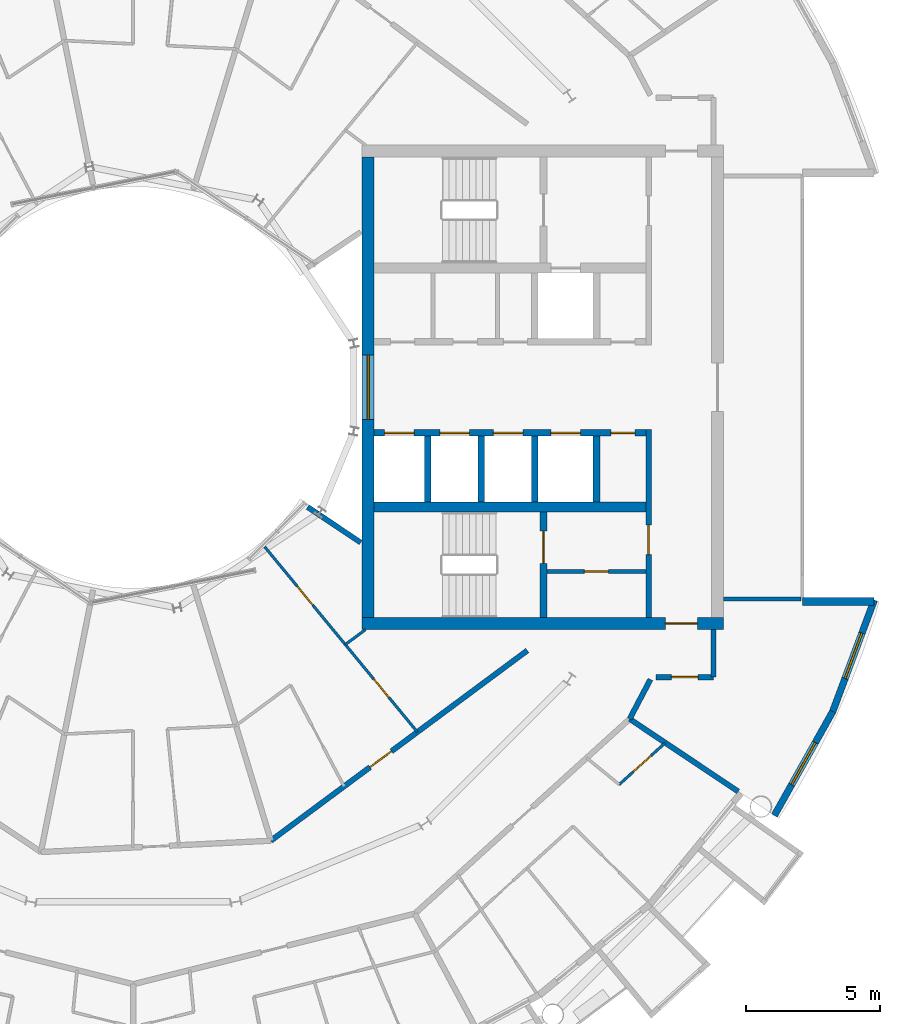
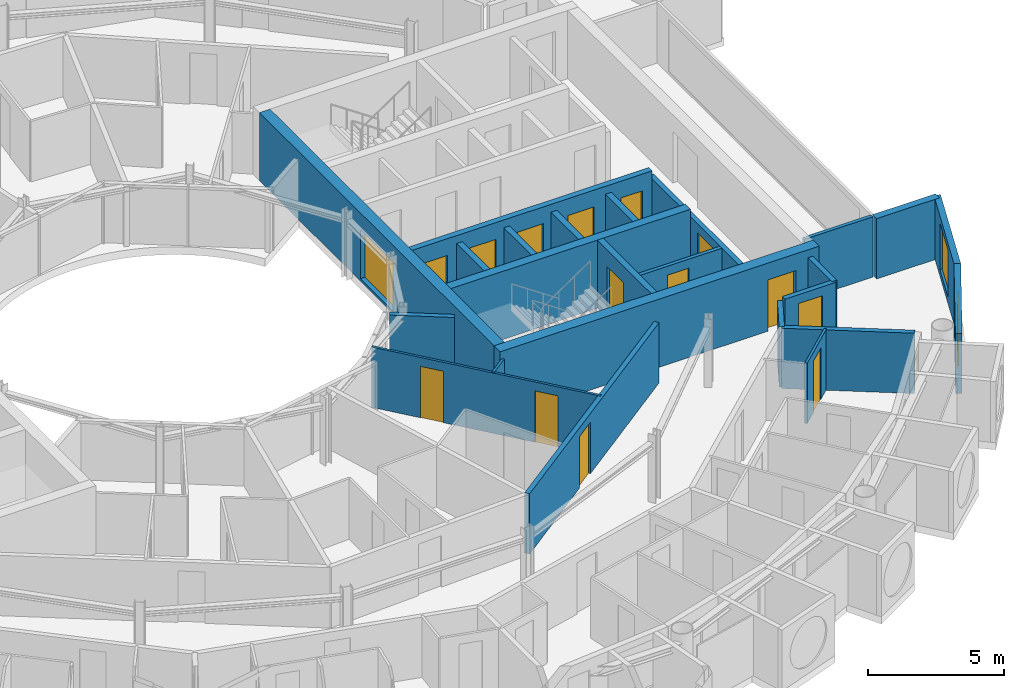
# One storey, part 19 of 29: 24 walls, 14 doors, 3 windows, 17 openings.
"""IFC4 building model written with IfcOpenShell, lengths in metres."""

from ifc_helpers import new_model, si_unit, direction, frame, frame_2d, origin, place, context, subcontext, project, spatial, rectangle, extrude, material, layer, layer_set, type_object, element, fill, save


model = new_model("IFC4")

# Units and contexts
model_context = context("Model", 3, precision=1e-05, world=origin(), true_north=direction((0.0, 1.0)))
body_context = subcontext(model_context, "Body", "Model", "MODEL_VIEW")
ifc_project = project(units=[si_unit("LENGTHUNIT", "METRE"), si_unit("AREAUNIT", "SQUARE_METRE"), si_unit("VOLUMEUNIT", "CUBIC_METRE"), si_unit("PLANEANGLEUNIT", "RADIAN"), si_unit("MASSUNIT", "GRAM", prefix="KILO")], contexts=[model_context])

# Site, building, storey
site_placement = place(None, origin())
site = spatial("IfcSite", under=ifc_project, at=site_placement, CompositionType="ELEMENT")
building_placement = place(site_placement, origin())
building = spatial("IfcBuilding", under=site, at=building_placement, Name="Maasbend Ring Residences", CompositionType="ELEMENT")
storey_placement = place(building_placement, frame((0.0, 0.0, 190.199951171875)))
storey = spatial("IfcBuildingStorey", under=building, at=storey_placement, Name="L54", CompositionType="ELEMENT", Elevation=190.199951171875)

# Wall, openings, doors
ifc_material_1 = material(Name="Concrete C50/60", Category="concrete")
ifc_layer_1 = layer(ifc_material_1, 0.25)
ifc_layer_set_1 = layer_set([ifc_layer_1], Name="Concrete C50/60")
wall_type_1 = type_object("IfcWallType", Name="CORE WALL 250 C50/60", PredefinedType="SHEAR", material=ifc_layer_set_1)
wall_1_placement = place(storey_placement, frame((19.14990234375, -1.699951171875, 0.0), z_axis=(0.0, 0.0, 1.0), x_axis=(-1.0, 0.0, 0.0)))
wall_1 = element("IfcWall", 1, at=wall_1_placement, inside=storey, type_object=wall_type_1, Name="L54 core E wall SPS", PredefinedType="SHEAR", context=body_context, shape_type="SweptSolid", body=[
    extrude(rectangle(XDim=10.14990234375, YDim=0.25, at=frame_2d((5.074951171875, 0.0))), origin(), (0.0, 0.0, 1.0), 3.050048828125),
])
opening_1_placement = place(wall_1_placement, frame((8.66259765625, 0.0, 0.0)))
opening_1 = element("IfcOpeningElement", 2, at=opening_1_placement, cuts=wall_1, Name="Opening LD-E5402", PredefinedType="OPENING", context=body_context, shape_type="SweptSolid", body=[
    extrude(rectangle(XDim=1.10009765625, YDim=2.300048828125, at=frame_2d((0.550048828125, 1.14990234375))), frame((0.0, 0.135009765625, 0.0), z_axis=(0.0, -1.0, 0.0), x_axis=(1.0, 0.0, 0.0)), (0.0, 0.0, 1.0), 0.27001953125),
])
opening_2_placement = place(wall_1_placement, frame((6.60009765625, 0.0, 0.0)))
opening_2 = element("IfcOpeningElement", 3, at=opening_2_placement, cuts=wall_1, Name="Opening LD-E5403", PredefinedType="OPENING", context=body_context, shape_type="SweptSolid", body=[
    extrude(rectangle(XDim=1.10009765625, YDim=2.300048828125, at=frame_2d((0.550048828125, 1.14990234375))), frame((0.0, 0.135009765625, 0.0), z_axis=(0.0, -1.0, 0.0), x_axis=(1.0, 0.0, 0.0)), (0.0, 0.0, 1.0), 0.27001953125),
])
opening_3_placement = place(wall_1_placement, frame((4.60009765625, 0.0, 0.0)))
opening_3 = element("IfcOpeningElement", 4, at=opening_3_placement, cuts=wall_1, Name="Opening LD-E5404", PredefinedType="OPENING", context=body_context, shape_type="SweptSolid", body=[
    extrude(rectangle(XDim=1.10009765625, YDim=2.300048828125, at=frame_2d((0.550048828125, 1.14990234375))), frame((0.0, 0.135009765625, 0.0), z_axis=(0.0, -1.0, 0.0), x_axis=(1.0, 0.0, 0.0)), (0.0, 0.0, 1.0), 0.27001953125),
])
opening_4_placement = place(wall_1_placement, frame((2.449951171875, 0.0, 0.0)))
opening_4 = element("IfcOpeningElement", 5, at=opening_4_placement, cuts=wall_1, Name="Opening LD-E5405", PredefinedType="OPENING", context=body_context, shape_type="SweptSolid", body=[
    extrude(rectangle(XDim=1.10009765625, YDim=2.300048828125, at=frame_2d((0.550048828125, 1.14990234375))), frame((0.0, 0.135009765625, 0.0), z_axis=(0.0, -1.0, 0.0), x_axis=(1.0, 0.0, 0.0)), (0.0, 0.0, 1.0), 0.27001953125),
])
opening_5_placement = place(wall_1_placement, frame((0.41259765625, 0.0, 0.0)))
opening_5 = element("IfcOpeningElement", 6, at=opening_5_placement, cuts=wall_1, Name="Opening D-E5410", PredefinedType="OPENING", context=body_context, shape_type="SweptSolid", body=[
    extrude(rectangle(XDim=0.89990234375, YDim=2.300048828125, at=frame_2d((0.449951171875, 1.14990234375))), frame((0.0, 0.135009765625, 0.0), z_axis=(0.0, -1.0, 0.0), x_axis=(1.0, 0.0, 0.0)), (0.0, 0.0, 1.0), 0.27001953125),
])
ifc_material_2 = material(Name="Stainless steel 316", Category="steel")
door_type_1 = type_object("IfcDoorType", Name="LANDING DOOR 1100 X 2300 FD60", OperationType="DOUBLE_DOOR_SLIDING", PredefinedType="DOOR", material=ifc_material_2)
door_1_placement = place(opening_1_placement, origin())
door_1 = element("IfcDoor", 7, at=door_1_placement, inside=storey, type_object=door_type_1, Name="Landing door HR-E1 L54", OperationType="DOUBLE_DOOR_SLIDING", OverallHeight=2.300048828125, OverallWidth=1.10009765625, PredefinedType="DOOR", context=body_context, shape_type="SweptSolid", body=[
    extrude(rectangle(XDim=1.10009765625, YDim=2.300048828125, at=frame_2d((0.550048828125, 1.14990234375))), frame((0.0, 0.02490234375, 0.0), z_axis=(0.0, -1.0, 0.0), x_axis=(1.0, 0.0, 0.0)), (0.0, 0.0, 1.0), 0.050048828125),
])
fill(opening_1, door_1)
door_2_placement = place(opening_2_placement, origin())
door_2 = element("IfcDoor", 8, at=door_2_placement, inside=storey, type_object=door_type_1, Name="Landing door HR-E2 L54", OperationType="DOUBLE_DOOR_SLIDING", OverallHeight=2.300048828125, OverallWidth=1.10009765625, PredefinedType="DOOR", context=body_context, shape_type="SweptSolid", body=[
    extrude(rectangle(XDim=1.10009765625, YDim=2.300048828125, at=frame_2d((0.550048828125, 1.14990234375))), frame((0.0, 0.02490234375, 0.0), z_axis=(0.0, -1.0, 0.0), x_axis=(1.0, 0.0, 0.0)), (0.0, 0.0, 1.0), 0.050048828125),
])
fill(opening_2, door_2)
door_3_placement = place(opening_3_placement, origin())
door_3 = element("IfcDoor", 9, at=door_3_placement, inside=storey, type_object=door_type_1, Name="Landing door HR-E3 L54", OperationType="DOUBLE_DOOR_SLIDING", OverallHeight=2.300048828125, OverallWidth=1.10009765625, PredefinedType="DOOR", context=body_context, shape_type="SweptSolid", body=[
    extrude(rectangle(XDim=1.10009765625, YDim=2.300048828125, at=frame_2d((0.550048828125, 1.14990234375))), frame((0.0, 0.02490234375, 0.0), z_axis=(0.0, -1.0, 0.0), x_axis=(1.0, 0.0, 0.0)), (0.0, 0.0, 1.0), 0.050048828125),
])
fill(opening_3, door_3)
door_4_placement = place(opening_4_placement, origin())
door_4 = element("IfcDoor", 10, at=door_4_placement, inside=storey, type_object=door_type_1, Name="Landing door SV-E L54", OperationType="DOUBLE_DOOR_SLIDING", OverallHeight=2.300048828125, OverallWidth=1.10009765625, PredefinedType="DOOR", context=body_context, shape_type="SweptSolid", body=[
    extrude(rectangle(XDim=1.10009765625, YDim=2.300048828125, at=frame_2d((0.550048828125, 1.14990234375))), frame((0.0, 0.02490234375, 0.0), z_axis=(0.0, -1.0, 0.0), x_axis=(1.0, 0.0, 0.0)), (0.0, 0.0, 1.0), 0.050048828125),
])
fill(opening_4, door_4)
ifc_material_3 = material(Name="Steel, powder coated", Category="steel")
door_type_2 = type_object("IfcDoorType", Name="ROOM DOOR 900 X 2300 FD30S", OperationType="NOTDEFINED", PredefinedType="DOOR", material=ifc_material_3)
door_5_placement = place(opening_5_placement, origin())
door_5 = element("IfcDoor", 11, at=door_5_placement, inside=storey, type_object=door_type_2, Name="Room door L54", OperationType="SINGLE_SWING_RIGHT", OverallHeight=2.300048828125, OverallWidth=0.89990234375, PredefinedType="DOOR", context=body_context, shape_type="SweptSolid", body=[
    extrude(rectangle(XDim=0.89990234375, YDim=2.300048828125, at=frame_2d((0.449951171875, 1.14990234375))), frame((0.0, 0.02490234375, 0.0), z_axis=(0.0, -1.0, 0.0), x_axis=(1.0, 0.0, 0.0)), (0.0, 0.0, 1.0), 0.050048828125),
])
fill(opening_5, door_5)

# Wall, opening, door
wall_2_placement = place(storey_placement, frame((15.324951171875, -8.60009765625, 0.0), z_axis=(0.0, 0.0, 1.0), x_axis=(0.0, 1.0, 0.0)))
wall_2 = element("IfcWall", 12, at=wall_2_placement, inside=storey, type_object=wall_type_1, Name="L54 core E wall STES", PredefinedType="SHEAR", context=body_context, shape_type="SweptSolid", body=[
    extrude(rectangle(XDim=3.9501953125, YDim=0.25, at=frame_2d((1.97509765625, 0.0))), origin(), (0.0, 0.0, 1.0), 3.050048828125),
])
opening_6_placement = place(wall_2_placement, frame((2.02490234375, 0.0, 0.0)))
opening_6 = element("IfcOpeningElement", 13, at=opening_6_placement, cuts=wall_2, Name="Opening D-E5413", PredefinedType="OPENING", context=body_context, shape_type="SweptSolid", body=[
    extrude(rectangle(XDim=1.199951171875, YDim=2.300048828125, at=frame_2d((0.60009765625, 1.14990234375))), frame((0.0, 0.135009765625, 0.0), z_axis=(0.0, -1.0, 0.0), x_axis=(1.0, 0.0, 0.0)), (0.0, 0.0, 1.0), 0.27001953125),
])
ifc_material_4 = material(Name="Steel, powder coated", Category="steel")
door_type_3 = type_object("IfcDoorType", Name="STAIR DOOR 1200 X 2300 FD60", OperationType="NOTDEFINED", PredefinedType="DOOR", material=ifc_material_4)
door_6_placement = place(opening_6_placement, origin())
door_6 = element("IfcDoor", 14, at=door_6_placement, inside=storey, type_object=door_type_3, Name="Stair door ST-E L54", OperationType="SINGLE_SWING_LEFT", OverallHeight=2.300048828125, OverallWidth=1.199951171875, PredefinedType="DOOR", context=body_context, shape_type="SweptSolid", body=[
    extrude(rectangle(XDim=1.199951171875, YDim=2.300048828125, at=frame_2d((0.60009765625, 1.14990234375))), frame((0.0, 0.02490234375, 0.0), z_axis=(0.0, -1.0, 0.0), x_axis=(1.0, 0.0, 0.0)), (0.0, 0.0, 1.0), 0.050048828125),
])
fill(opening_6, door_6)

# Wall
ifc_material_5 = material(Name="Concrete C50/60", Category="concrete")
ifc_layer_2 = layer(ifc_material_5, 0.375)
ifc_layer_set_2 = layer_set([ifc_layer_2], Name="Concrete C50/60")
wall_type_2 = type_object("IfcWallType", Name="CORE WALL 375 C50/60", PredefinedType="SHEAR", material=ifc_layer_set_2)
wall_3_placement = place(storey_placement, frame((9.0, -4.46240234375, 0.0), z_axis=(0.0, 0.0, 1.0), x_axis=(1.0, 0.0, 0.0)))
element("IfcWall", 15, at=wall_3_placement, inside=storey, type_object=wall_type_2, Name="L54 core E wall BS", PredefinedType="SHEAR", context=body_context, shape_type="SweptSolid", body=[
    extrude(rectangle(XDim=10.14990234375, YDim=0.375, at=frame_2d((5.074951171875, 0.0))), origin(), (0.0, 0.0, 1.0), 3.050048828125),
])

# Wall, opening, door
ifc_material_6 = material(Name="Concrete C50/60", Category="concrete")
ifc_layer_3 = layer(ifc_material_6, 0.449951171875)
ifc_layer_set_3 = layer_set([ifc_layer_3], Name="Concrete C50/60")
wall_type_3 = type_object("IfcWallType", Name="CORE WALL 450 C50/60", PredefinedType="SHEAR", material=ifc_layer_set_3)
wall_4_placement = place(storey_placement, frame((8.550048828125, -8.824951171875, 0.0), z_axis=(0.0, 0.0, 1.0), x_axis=(1.0, 0.0, 0.0)))
wall_4 = element("IfcWall", 16, at=wall_4_placement, inside=storey, type_object=wall_type_3, Name="L54 core E wall PS", PredefinedType="SHEAR", context=body_context, shape_type="SweptSolid", body=[
    extrude(rectangle(XDim=13.5, YDim=0.449951171875, at=frame_2d((6.75, 0.0))), origin(), (0.0, 0.0, 1.0), 3.050048828125),
])
opening_7_placement = place(wall_4_placement, frame((11.324951171875, 0.0, 0.0)))
opening_7 = element("IfcOpeningElement", 17, at=opening_7_placement, cuts=wall_4, Name="Opening D-E5417", PredefinedType="OPENING", context=body_context, shape_type="SweptSolid", body=[
    extrude(rectangle(XDim=1.199951171875, YDim=2.300048828125, at=frame_2d((0.60009765625, 1.14990234375))), frame((0.0, 0.23486328125, 0.0), z_axis=(0.0, -1.0, 0.0), x_axis=(1.0, 0.0, 0.0)), (0.0, 0.0, 1.0), 0.469970703125),
])
ifc_material_7 = material(Name="Steel, powder coated", Category="steel")
door_type_4 = type_object("IfcDoorType", Name="CORRIDOR DOOR 1200 X 2300 FD30S", OperationType="NOTDEFINED", PredefinedType="DOOR", material=ifc_material_7)
door_7_placement = place(opening_7_placement, origin())
door_7 = element("IfcDoor", 18, at=door_7_placement, inside=storey, type_object=door_type_4, Name="Corridor door L54", OperationType="SINGLE_SWING_LEFT", OverallHeight=2.300048828125, OverallWidth=1.199951171875, PredefinedType="DOOR", context=body_context, shape_type="SweptSolid", body=[
    extrude(rectangle(XDim=1.199951171875, YDim=2.300048828125, at=frame_2d((0.60009765625, 1.14990234375))), frame((0.0, 0.02490234375, 0.0), z_axis=(0.0, -1.0, 0.0), x_axis=(1.0, 0.0, 0.0)), (0.0, 0.0, 1.0), 0.050048828125),
])
fill(opening_7, door_7)

# Wall, opening, window
wall_5_placement = place(storey_placement, frame((8.77490234375, -8.60009765625, 0.0), z_axis=(0.0, 0.0, 1.0), x_axis=(0.0, 1.0, 0.0)))
wall_5 = element("IfcWall", 19, at=wall_5_placement, inside=storey, type_object=wall_type_3, Name="L54 core E wall PIN", PredefinedType="SHEAR", context=body_context, shape_type="SweptSolid", body=[
    extrude(rectangle(XDim=17.2001953125, YDim=0.449951171875, at=frame_2d((8.60009765625, 0.0))), origin(), (0.0, 0.0, 1.0), 3.050048828125),
])
opening_8_placement = place(wall_5_placement, frame((7.39990234375, 0.0, 0.10009765625)))
opening_8 = element("IfcOpeningElement", 20, at=opening_8_placement, cuts=wall_5, Name="Opening W-E5401", PredefinedType="OPENING", context=body_context, shape_type="SweptSolid", body=[
    extrude(rectangle(XDim=2.39990234375, YDim=2.199951171875, at=frame_2d((1.199951171875, 1.10009765625))), frame((0.0, 0.23486328125, 0.0), z_axis=(0.0, -1.0, 0.0), x_axis=(1.0, 0.0, 0.0)), (0.0, 0.0, 1.0), 0.469970703125),
])
ifc_material_8 = material(Name="Aluminium frame and clear glass", Category="aluminium")
window_type_1 = type_object("IfcWindowType", Name="FIXED WINDOW 2400 X 2200", PartitioningType="SINGLE_PANEL", PredefinedType="WINDOW", material=ifc_material_8)
window_1_placement = place(opening_8_placement, origin())
window_1 = element("IfcWindow", 21, at=window_1_placement, inside=storey, type_object=window_type_1, Name="Lobby window L54", OverallHeight=2.199951171875, OverallWidth=2.39990234375, PartitioningType="SINGLE_PANEL", PredefinedType="WINDOW", context=body_context, shape_type="SweptSolid", body=[
    extrude(rectangle(XDim=2.39990234375, YDim=2.199951171875, at=frame_2d((1.199951171875, 1.10009765625))), frame((0.0, 0.030029296875, 0.0), z_axis=(0.0, -1.0, 0.0), x_axis=(1.0, 0.0, 0.0)), (0.0, 0.0, 1.0), 0.06005859375),
])
fill(opening_8, window_1)

# Walls
ifc_material_9 = material(Name="Concrete C30/37", Category="concrete")
ifc_layer_4 = layer(ifc_material_9, 0.199951171875)
ifc_layer_set_4 = layer_set([ifc_layer_4], Name="Concrete C30/37")
wall_type_4 = type_object("IfcWallType", Name="CORRIDOR WALL 200 CONCRETE", PredefinedType="PARTITIONING", material=ifc_layer_set_4)
wall_6_placement = place(storey_placement, frame((18.5419921875, -12.388916015625, 0.0), z_axis=(0.0, 0.0, 1.0), x_axis=(0.465359652486, 0.885121683068, 0.0)))
element("IfcWall", 22, at=wall_6_placement, inside=storey, type_object=wall_type_4, Name="U-L54-w010", PredefinedType="PARTITIONING", context=body_context, shape_type="SweptSolid", body=[
    extrude(rectangle(XDim=1.665283203125, YDim=0.199951171875, at=frame_2d((0.83251953125, 0.0))), origin(), (0.0, 0.0, 1.0), 2.699951171875),
])
wall_7_placement = place(storey_placement, frame((21.675048828125, -10.824951171875, 0.0), z_axis=(0.0, 0.0, 1.0), x_axis=(0.0, 1.0, 0.0)))
element("IfcWall", 23, at=wall_7_placement, inside=storey, type_object=wall_type_4, Name="U-L54-w011", PredefinedType="PARTITIONING", context=body_context, shape_type="SweptSolid", body=[
    extrude(rectangle(XDim=1.77490234375, YDim=0.199951171875, at=frame_2d((0.887451171875, 0.0))), origin(), (0.0, 0.0, 1.0), 2.699951171875),
])

# Wall, opening, door
wall_8_placement = place(storey_placement, frame((5.136962890625, -16.93798828125, 0.0), z_axis=(0.0, 0.0, 1.0), x_axis=(0.803240181354, 0.595655278712, 0.0)))
wall_8 = element("IfcWall", 24, at=wall_8_placement, inside=storey, type_object=wall_type_4, Name="U-L54-w018", PredefinedType="PARTITIONING", context=body_context, shape_type="SweptSolid", body=[
    extrude(rectangle(XDim=11.927978515625, YDim=0.199951171875, at=frame_2d((5.9638671875, 0.0))), origin(), (0.0, 0.0, 1.0), 2.699951171875),
])
opening_9_placement = place(wall_8_placement, frame((4.612060546875, 0.0, 0.0)))
opening_9 = element("IfcOpeningElement", 25, at=opening_9_placement, cuts=wall_8, Name="Opening D-5467", PredefinedType="OPENING", context=body_context, shape_type="SweptSolid", body=[
    extrude(rectangle(XDim=1.0, YDim=2.300048828125, at=frame_2d((0.5, 1.14990234375))), frame((0.0, 0.10986328125, 0.0), z_axis=(0.0, -1.0, 0.0), x_axis=(1.0, 0.0, 0.0)), (0.0, 0.0, 1.0), 0.219970703125),
])
ifc_material_10 = material(Name="Timber, fire-rated, painted", Category="wood")
door_type_5 = type_object("IfcDoorType", Name="FLAT ENTRANCE DOOR 1000 X 2300 FIRE-RATED", OperationType="NOTDEFINED", PredefinedType="DOOR", material=ifc_material_10)
door_8_placement = place(opening_9_placement, origin())
door_8 = element("IfcDoor", 26, at=door_8_placement, inside=storey, type_object=door_type_5, Name="D-5467", OperationType="SINGLE_SWING_LEFT", OverallHeight=2.300048828125, OverallWidth=1.0, PredefinedType="DOOR", context=body_context, shape_type="SweptSolid", body=[
    extrude(rectangle(XDim=1.0, YDim=2.300048828125, at=frame_2d((0.5, 1.14990234375))), frame((0.0, 0.02490234375, 0.0), z_axis=(0.0, -1.0, 0.0), x_axis=(1.0, 0.0, 0.0)), (0.0, 0.0, 1.0), 0.050048828125),
])
fill(opening_9, door_8)

wall_9_placement = place(storey_placement, frame((19.52294921875, -10.824951171875, 0.0), z_axis=(0.0, 0.0, 1.0), x_axis=(1.0, 0.0, 0.0)))
wall_9 = element("IfcWall", 27, at=wall_9_placement, inside=storey, type_object=wall_type_4, Name="U-L54-w027", PredefinedType="PARTITIONING", context=body_context, shape_type="SweptSolid", body=[
    extrude(rectangle(XDim=2.152099609375, YDim=0.199951171875, at=frame_2d((1.076171875, 0.0))), origin(), (0.0, 0.0, 1.0), 2.699951171875),
])
opening_10_placement = place(wall_9_placement, frame((0.575927734375, 0.0, 0.0)))
opening_10 = element("IfcOpeningElement", 28, at=opening_10_placement, cuts=wall_9, Name="Opening D-5473", PredefinedType="OPENING", context=body_context, shape_type="SweptSolid", body=[
    extrude(rectangle(XDim=1.0, YDim=2.300048828125, at=frame_2d((0.5, 1.14990234375))), frame((0.0, 0.10986328125, 0.0), z_axis=(0.0, -1.0, 0.0), x_axis=(1.0, 0.0, 0.0)), (0.0, 0.0, 1.0), 0.219970703125),
])
ifc_material_11 = material(Name="Timber, painted", Category="wood")
door_type_6 = type_object("IfcDoorType", Name="ROOM DOOR 1000 X 2300", OperationType="NOTDEFINED", PredefinedType="DOOR", material=ifc_material_11)
door_9_placement = place(opening_10_placement, origin())
door_9 = element("IfcDoor", 29, at=door_9_placement, inside=storey, type_object=door_type_6, Name="D-5473", OperationType="SINGLE_SWING_LEFT", OverallHeight=2.300048828125, OverallWidth=1.0, PredefinedType="DOOR", context=body_context, shape_type="SweptSolid", body=[
    extrude(rectangle(XDim=1.0, YDim=2.300048828125, at=frame_2d((0.5, 1.14990234375))), frame((0.0, 0.02490234375, 0.0), z_axis=(0.0, -1.0, 0.0), x_axis=(1.0, 0.0, 0.0)), (0.0, 0.0, 1.0), 0.050048828125),
])
fill(opening_10, door_9)

# Wall, opening, window
ifc_material_12 = material(Name="Aluminium clad insulated panel", Category="aluminium")
ifc_layer_5 = layer(ifc_material_12, 0.25)
ifc_layer_set_5 = layer_set([ifc_layer_5], Name="EW-HORN")
wall_type_5 = type_object("IfcWallType", Name="EW-HORN", PredefinedType="SOLIDWALL", material=ifc_layer_set_5)
wall_10_placement = place(storey_placement, frame((23.946044921875, -16.0, 0.0), z_axis=(0.0, 0.0, 1.0), x_axis=(0.489696356642, 0.871893042919, 0.0)))
wall_10 = element("IfcWall", 30, at=wall_10_placement, inside=storey, type_object=wall_type_5, Name="Horn wall 2.1", PredefinedType="SOLIDWALL", context=body_context, shape_type="SweptSolid", body=[
    extrude(rectangle(XDim=4.45361328125, YDim=0.25, at=frame_2d((2.226806640625, 0.0))), origin(), (0.0, 0.0, 1.0), 2.699951171875),
])
opening_11_placement = place(wall_10_placement, frame((1.32666015625, 0.0, 0.300048828125)))
opening_11 = element("IfcOpeningElement", 31, at=opening_11_placement, cuts=wall_10, Name="Opening W-BX", PredefinedType="OPENING", context=body_context, shape_type="SweptSolid", body=[
    extrude(rectangle(XDim=1.800048828125, YDim=2.10009765625, at=frame_2d((0.89990234375, 1.050048828125))), frame((0.0, 0.135009765625, 0.0), z_axis=(0.0, -1.0, 0.0), x_axis=(1.0, 0.0, 0.0)), (0.0, 0.0, 1.0), 0.27001953125),
])
ifc_material_13 = material(Name="Aluminium and clear glass", Category="aluminium")
window_type_2 = type_object("IfcWindowType", Name="W-BX", PartitioningType="DOUBLE_PANEL_VERTICAL", PredefinedType="WINDOW", material=ifc_material_13)
window_2_placement = place(opening_11_placement, origin())
window_2 = element("IfcWindow", 32, at=window_2_placement, inside=storey, type_object=window_type_2, Name="Horn window 2.1", OverallHeight=2.10009765625, OverallWidth=1.800048828125, PartitioningType="SINGLE_PANEL", PredefinedType="WINDOW", context=body_context, shape_type="SweptSolid", body=[
    extrude(rectangle(XDim=1.800048828125, YDim=2.10009765625, at=frame_2d((0.89990234375, 1.050048828125))), frame((0.0, 0.030029296875, 0.0), z_axis=(0.0, -1.0, 0.0), x_axis=(1.0, 0.0, 0.0)), (0.0, 0.0, 1.0), 0.06005859375),
])
fill(opening_11, window_2)

wall_11_placement = place(storey_placement, frame((26.126953125, -12.116943359375, 0.0), z_axis=(0.0, 0.0, 1.0), x_axis=(0.349247811493, 0.937030397675, 0.0)))
wall_11 = element("IfcWall", 33, at=wall_11_placement, inside=storey, type_object=wall_type_5, Name="Horn wall 2.2", PredefinedType="SOLIDWALL", context=body_context, shape_type="SweptSolid", body=[
    extrude(rectangle(XDim=4.4521484375, YDim=0.25, at=frame_2d((2.22607421875, 0.0))), origin(), (0.0, 0.0, 1.0), 2.699951171875),
])
opening_12_placement = place(wall_11_placement, frame((1.32666015625, 0.0, 0.300048828125)))
opening_12 = element("IfcOpeningElement", 34, at=opening_12_placement, cuts=wall_11, Name="Opening W-BX", PredefinedType="OPENING", context=body_context, shape_type="SweptSolid", body=[
    extrude(rectangle(XDim=1.800048828125, YDim=2.10009765625, at=frame_2d((0.89990234375, 1.050048828125))), frame((0.0, 0.135009765625, 0.0), z_axis=(0.0, -1.0, 0.0), x_axis=(1.0, 0.0, 0.0)), (0.0, 0.0, 1.0), 0.27001953125),
])
window_3_placement = place(opening_12_placement, origin())
window_3 = element("IfcWindow", 35, at=window_3_placement, inside=storey, type_object=window_type_2, Name="Horn window 2.2", OverallHeight=2.10009765625, OverallWidth=1.800048828125, PartitioningType="SINGLE_PANEL", PredefinedType="WINDOW", context=body_context, shape_type="SweptSolid", body=[
    extrude(rectangle(XDim=1.800048828125, YDim=2.10009765625, at=frame_2d((0.89990234375, 1.050048828125))), frame((0.0, 0.030029296875, 0.0), z_axis=(0.0, -1.0, 0.0), x_axis=(1.0, 0.0, 0.0)), (0.0, 0.0, 1.0), 0.06005859375),
])
fill(opening_12, window_3)

# Wall
ifc_material_14 = material(Name="Aluminium clad insulated panel", Category="aluminium")
ifc_layer_6 = layer(ifc_material_14, 0.300048828125)
ifc_layer_set_6 = layer_set([ifc_layer_6], Name="EW-RET")
wall_type_6 = type_object("IfcWallType", Name="EW-RET", PredefinedType="SOLIDWALL", material=ifc_layer_set_6)
wall_12_placement = place(storey_placement, frame((25.0, -8.0, 0.0), z_axis=(0.0, 0.0, 1.0), x_axis=(1.0, 0.0, 0.0)))
element("IfcWall", 36, at=wall_12_placement, inside=storey, type_object=wall_type_6, Name="Notch return wall east south", PredefinedType="SOLIDWALL", context=body_context, shape_type="SweptSolid", body=[
    extrude(rectangle(XDim=2.6669921875, YDim=0.300048828125, at=frame_2d((1.33349609375, 0.0))), origin(), (0.0, 0.0, 1.0), 2.699951171875),
])

# Wall, opening, door
ifc_material_15 = material(Name="Gypsum board on steel studs", Category="steel")
ifc_layer_7 = layer(ifc_material_15, 0.10009765625)
ifc_layer_set_7 = layer_set([ifc_layer_7], Name="PARTITION 100 GYPSUM")
wall_type_7 = type_object("IfcWallType", Name="PARTITION 100 GYPSUM", PredefinedType="PARTITIONING", material=ifc_layer_set_7)
wall_13_placement = place(storey_placement, frame((18.14697265625, -14.843994140625, 0.0), z_axis=(0.0, 0.0, 1.0), x_axis=(0.741080073381, 0.671416655169, 0.0)))
wall_13 = element("IfcWall", 37, at=wall_13_placement, inside=storey, type_object=wall_type_7, Name="U-L54-w008", PredefinedType="PARTITIONING", context=body_context, shape_type="SweptSolid", body=[
    extrude(rectangle(XDim=2.323486328125, YDim=0.10009765625, at=frame_2d((1.16162109375, 0.0))), origin(), (0.0, 0.0, 1.0), 2.699951171875),
])
opening_13_placement = place(wall_13_placement, frame((0.718017578125, 0.0, 0.0)))
opening_13 = element("IfcOpeningElement", 38, at=opening_13_placement, cuts=wall_13, Name="Opening D-5455", PredefinedType="OPENING", context=body_context, shape_type="SweptSolid", body=[
    extrude(rectangle(XDim=0.89990234375, YDim=2.300048828125, at=frame_2d((0.449951171875, 1.14990234375))), frame((0.0, 0.06005859375, 0.0), z_axis=(0.0, -1.0, 0.0), x_axis=(1.0, 0.0, 0.0)), (0.0, 0.0, 1.0), 0.1201171875),
])
ifc_material_16 = material(Name="Timber, painted", Category="wood")
door_type_7 = type_object("IfcDoorType", Name="INTERNAL DOOR 900 X 2300", OperationType="NOTDEFINED", PredefinedType="DOOR", material=ifc_material_16)
door_10_placement = place(opening_13_placement, origin())
door_10 = element("IfcDoor", 39, at=door_10_placement, inside=storey, type_object=door_type_7, Name="D-5455", OperationType="SINGLE_SWING_RIGHT", OverallHeight=2.300048828125, OverallWidth=0.89990234375, PredefinedType="DOOR", context=body_context, shape_type="SweptSolid", body=[
    extrude(rectangle(XDim=0.89990234375, YDim=2.300048828125, at=frame_2d((0.449951171875, 1.14990234375))), frame((0.0, 0.02490234375, 0.0), z_axis=(0.0, -1.0, 0.0), x_axis=(1.0, 0.0, 0.0)), (0.0, 0.0, 1.0), 0.050048828125),
])
fill(opening_13, door_10)

# Wall
wall_14_placement = place(storey_placement, frame((7.9189453125, -9.611083984375, 0.0), z_axis=(0.0, 0.0, 1.0), x_axis=(0.803437844371, 0.595388637977, 0.0)))
element("IfcWall", 40, at=wall_14_placement, inside=storey, type_object=wall_type_7, Name="U-L54-w023", PredefinedType="PARTITIONING", context=body_context, shape_type="SweptSolid", body=[
    extrude(rectangle(XDim=0.9423828125, YDim=0.10009765625, at=frame_2d((0.47119140625, 0.0))), origin(), (0.0, 0.0, 1.0), 2.699951171875),
])

# Wall, openings, doors
wall_15_placement = place(storey_placement, frame((4.907958984375, -5.958984375, 0.0), z_axis=(0.0, 0.0, 1.0), x_axis=(0.636115614725, -0.771593756262, 0.0)))
wall_15 = element("IfcWall", 41, at=wall_15_placement, inside=storey, type_object=wall_type_7, Name="U-L54-w072", PredefinedType="PARTITIONING", context=body_context, shape_type="SweptSolid", body=[
    extrude(rectangle(XDim=8.967041015625, YDim=0.10009765625, at=frame_2d((4.4833984375, 0.0))), origin(), (0.0, 0.0, 1.0), 2.699951171875),
])
opening_14_placement = place(wall_15_placement, frame((6.39990234375, 0.0, 0.0)))
opening_14 = element("IfcOpeningElement", 42, at=opening_14_placement, cuts=wall_15, Name="Opening D-5469", PredefinedType="OPENING", context=body_context, shape_type="SweptSolid", body=[
    extrude(rectangle(XDim=0.89990234375, YDim=2.300048828125, at=frame_2d((0.449951171875, 1.14990234375))), frame((0.0, 0.06005859375, 0.0), z_axis=(0.0, -1.0, 0.0), x_axis=(1.0, 0.0, 0.0)), (0.0, 0.0, 1.0), 0.1201171875),
])
opening_15_placement = place(wall_15_placement, frame((1.9169921875, 0.0, 0.0)))
opening_15 = element("IfcOpeningElement", 43, at=opening_15_placement, cuts=wall_15, Name="Opening D-5470", PredefinedType="OPENING", context=body_context, shape_type="SweptSolid", body=[
    extrude(rectangle(XDim=0.89990234375, YDim=2.300048828125, at=frame_2d((0.449951171875, 1.14990234375))), frame((0.0, 0.06005859375, 0.0), z_axis=(0.0, -1.0, 0.0), x_axis=(1.0, 0.0, 0.0)), (0.0, 0.0, 1.0), 0.1201171875),
])
door_11_placement = place(opening_14_placement, origin())
door_11 = element("IfcDoor", 44, at=door_11_placement, inside=storey, type_object=door_type_7, Name="D-5469", OperationType="SINGLE_SWING_RIGHT", OverallHeight=2.300048828125, OverallWidth=0.89990234375, PredefinedType="DOOR", context=body_context, shape_type="SweptSolid", body=[
    extrude(rectangle(XDim=0.89990234375, YDim=2.300048828125, at=frame_2d((0.449951171875, 1.14990234375))), frame((0.0, 0.02490234375, 0.0), z_axis=(0.0, -1.0, 0.0), x_axis=(1.0, 0.0, 0.0)), (0.0, 0.0, 1.0), 0.050048828125),
])
fill(opening_14, door_11)
door_12_placement = place(opening_15_placement, origin())
door_12 = element("IfcDoor", 45, at=door_12_placement, inside=storey, type_object=door_type_7, Name="D-5470", OperationType="SINGLE_SWING_LEFT", OverallHeight=2.300048828125, OverallWidth=0.89990234375, PredefinedType="DOOR", context=body_context, shape_type="SweptSolid", body=[
    extrude(rectangle(XDim=0.89990234375, YDim=2.300048828125, at=frame_2d((0.449951171875, 1.14990234375))), frame((0.0, 0.02490234375, 0.0), z_axis=(0.0, -1.0, 0.0), x_axis=(1.0, 0.0, 0.0)), (0.0, 0.0, 1.0), 0.050048828125),
])
fill(opening_15, door_12)

# Wall, opening, door
ifc_material_17 = material(Name="Gypsum board on steel studs", Category="steel")
ifc_layer_8 = layer(ifc_material_17, 0.14990234375)
ifc_layer_set_8 = layer_set([ifc_layer_8], Name="PARTITION 150 EI 60")
wall_type_8 = type_object("IfcWallType", Name="PARTITION 150 EI 60", PredefinedType="PARTITIONING", material=ifc_layer_set_8)
wall_16_placement = place(storey_placement, frame((15.449951171875, -6.875, 0.0), z_axis=(0.0, 0.0, 1.0), x_axis=(1.0, 0.0, 0.0)))
wall_16 = element("IfcWall", 46, at=wall_16_placement, inside=storey, type_object=wall_type_8, Name="L54 core E wall RHS", PredefinedType="PARTITIONING", context=body_context, shape_type="SweptSolid", body=[
    extrude(rectangle(XDim=3.699951171875, YDim=0.14990234375, at=frame_2d((1.85009765625, 0.0))), origin(), (0.0, 0.0, 1.0), 2.699951171875),
])
opening_16_placement = place(wall_16_placement, frame((1.39990234375, 0.0, 0.0)))
opening_16 = element("IfcOpeningElement", 47, at=opening_16_placement, cuts=wall_16, Name="Opening D-E5411", PredefinedType="OPENING", context=body_context, shape_type="SweptSolid", body=[
    extrude(rectangle(XDim=0.89990234375, YDim=2.300048828125, at=frame_2d((0.449951171875, 1.14990234375))), frame((0.0, 0.0849609375, 0.0), z_axis=(0.0, -1.0, 0.0), x_axis=(1.0, 0.0, 0.0)), (0.0, 0.0, 1.0), 0.169921875),
])
ifc_material_18 = material(Name="Steel, powder coated", Category="steel")
door_type_8 = type_object("IfcDoorType", Name="RISER DOOR 900 X 2300 FD60", OperationType="NOTDEFINED", PredefinedType="DOOR", material=ifc_material_18)
door_13_placement = place(opening_16_placement, origin())
door_13 = element("IfcDoor", 48, at=door_13_placement, inside=storey, type_object=door_type_8, Name="Riser door L54", OperationType="SINGLE_SWING_LEFT", OverallHeight=2.300048828125, OverallWidth=0.89990234375, PredefinedType="DOOR", context=body_context, shape_type="SweptSolid", body=[
    extrude(rectangle(XDim=0.89990234375, YDim=2.300048828125, at=frame_2d((0.449951171875, 1.14990234375))), frame((0.0, 0.02490234375, 0.0), z_axis=(0.0, -1.0, 0.0), x_axis=(1.0, 0.0, 0.0)), (0.0, 0.0, 1.0), 0.050048828125),
])
fill(opening_16, door_13)

# Walls
wall_17_placement = place(storey_placement, frame((22.050048828125, -7.89990234375, 0.0), z_axis=(0.0, 0.0, 1.0), x_axis=(1.0, 0.0, 0.0)))
element("IfcWall", 49, at=wall_17_placement, inside=storey, type_object=wall_type_8, Name="L54 core E wall CITS", PredefinedType="PARTITIONING", context=body_context, shape_type="SweptSolid", body=[
    extrude(rectangle(XDim=2.889892578125, YDim=0.14990234375, at=frame_2d((1.44482421875, 0.0))), origin(), (0.0, 0.0, 1.0), 2.699951171875),
])
ifc_material_19 = material(Name="Concrete C30/37", Category="concrete")
ifc_layer_9 = layer(ifc_material_19, 0.199951171875)
ifc_layer_set_9 = layer_set([ifc_layer_9], Name="Concrete C30/37")
wall_type_9 = type_object("IfcWallType", Name="PARTY WALL 200 CONCRETE", PredefinedType="PARTITIONING", material=ifc_layer_set_9)
wall_18_placement = place(storey_placement, frame((6.512939453125, -4.471923828125, 0.0), z_axis=(0.0, 0.0, 1.0), x_axis=(0.831403409976, -0.555669299026, 0.0)))
element("IfcWall", 50, at=wall_18_placement, inside=storey, type_object=wall_type_9, Name="U-L54-w029", PredefinedType="PARTITIONING", context=body_context, shape_type="SweptSolid", body=[
    extrude(rectangle(XDim=2.382568359375, YDim=0.199951171875, at=frame_2d((1.19140625, 0.0))), origin(), (0.0, 0.0, 1.0), 2.699951171875),
])
wall_19_placement = place(storey_placement, frame((18.5419921875, -12.388916015625, 0.0), z_axis=(0.0, 0.0, 1.0), x_axis=(0.831387096605, -0.55569370664, 0.0)))
element("IfcWall", 51, at=wall_19_placement, inside=storey, type_object=wall_type_9, Name="U-L54-w089", PredefinedType="PARTITIONING", context=body_context, shape_type="SweptSolid", body=[
    extrude(rectangle(XDim=4.875, YDim=0.199951171875, at=frame_2d((2.4375, 0.0))), origin(), (0.0, 0.0, 1.0), 2.699951171875),
])

# Wall, opening, door
ifc_material_20 = material(Name="Concrete C30/37", Category="concrete")
ifc_layer_10 = layer(ifc_material_20, 0.199951171875)
ifc_layer_set_10 = layer_set([ifc_layer_10], Name="Concrete C30/37")
wall_type_10 = type_object("IfcWallType", Name="SHAFT WALL 200 EI 120", PredefinedType="SOLIDWALL", material=ifc_layer_set_10)
wall_20_placement = place(storey_placement, frame((19.25, -8.60009765625, 0.0), z_axis=(0.0, 0.0, 1.0), x_axis=(0.0, 1.0, 0.0)))
wall_20 = element("IfcWall", 52, at=wall_20_placement, inside=storey, type_object=wall_type_10, Name="L54 core E wall ENDS", PredefinedType="SOLIDWALL", context=body_context, shape_type="SweptSolid", body=[
    extrude(rectangle(XDim=7.025146484375, YDim=0.199951171875, at=frame_2d((3.5126953125, 0.0))), origin(), (0.0, 0.0, 1.0), 2.699951171875),
])
opening_17_placement = place(wall_20_placement, frame((2.35009765625, 0.0, 0.0)))
opening_17 = element("IfcOpeningElement", 53, at=opening_17_placement, cuts=wall_20, Name="Opening D-E5415", PredefinedType="OPENING", context=body_context, shape_type="SweptSolid", body=[
    extrude(rectangle(XDim=1.10009765625, YDim=2.300048828125, at=frame_2d((0.550048828125, 1.14990234375))), frame((0.0, 0.10986328125, 0.0), z_axis=(0.0, -1.0, 0.0), x_axis=(1.0, 0.0, 0.0)), (0.0, 0.0, 1.0), 0.219970703125),
])
ifc_material_21 = material(Name="Steel, powder coated", Category="steel")
door_type_9 = type_object("IfcDoorType", Name="LOBBY DOOR 1100 X 2300 FD60", OperationType="NOTDEFINED", PredefinedType="DOOR", material=ifc_material_21)
door_14_placement = place(opening_17_placement, origin())
door_14 = element("IfcDoor", 54, at=door_14_placement, inside=storey, type_object=door_type_9, Name="Lobby door L54", OperationType="SINGLE_SWING_RIGHT", OverallHeight=2.300048828125, OverallWidth=1.10009765625, PredefinedType="DOOR", context=body_context, shape_type="SweptSolid", body=[
    extrude(rectangle(XDim=1.10009765625, YDim=2.300048828125, at=frame_2d((0.550048828125, 1.14990234375))), frame((0.0, 0.02490234375, 0.0), z_axis=(0.0, -1.0, 0.0), x_axis=(1.0, 0.0, 0.0)), (0.0, 0.0, 1.0), 0.050048828125),
])
fill(opening_17, door_14)

# Walls
ifc_material_22 = material(Name="Concrete C30/37", Category="concrete")
ifc_layer_11 = layer(ifc_material_22, 0.25)
ifc_layer_set_11 = layer_set([ifc_layer_11], Name="Concrete C30/37")
wall_type_11 = type_object("IfcWallType", Name="SHAFT WALL 250 EI 120", PredefinedType="SOLIDWALL", material=ifc_layer_set_11)
for number, where, z_axis, x_axis, name in (
    (55, (15.0, -1.824951171875, 0.0), (0.0, 0.0, 1.0), (0.0, -1.0, 0.0), "L54 core E wall D150S"),
    (56, (17.300048828125, -1.824951171875, 0.0), (0.0, 0.0, 1.0), (0.0, -1.0, 0.0), "L54 core E wall D173S"),
    (57, (11.0, -1.824951171875, 0.0), (0.0, 0.0, 1.0), (0.0, -1.0, 0.0), "L54 core E wall D110S"),
    (58, (13.0, -1.824951171875, 0.0), (0.0, 0.0, 1.0), (0.0, -1.0, 0.0), "L54 core E wall D130S"),
):
    element("IfcWall", number, at=place(storey_placement, frame(where, z_axis=z_axis, x_axis=x_axis)), inside=storey, type_object=wall_type_11, Name=name, PredefinedType="SOLIDWALL", context=body_context, shape_type="SweptSolid", body=[
        extrude(rectangle(XDim=2.449951171875, YDim=0.25, at=frame_2d((1.22509765625, 0.0))), origin(), (0.0, 0.0, 1.0), 2.699951171875),
    ])

save(model, "model.ifc")
